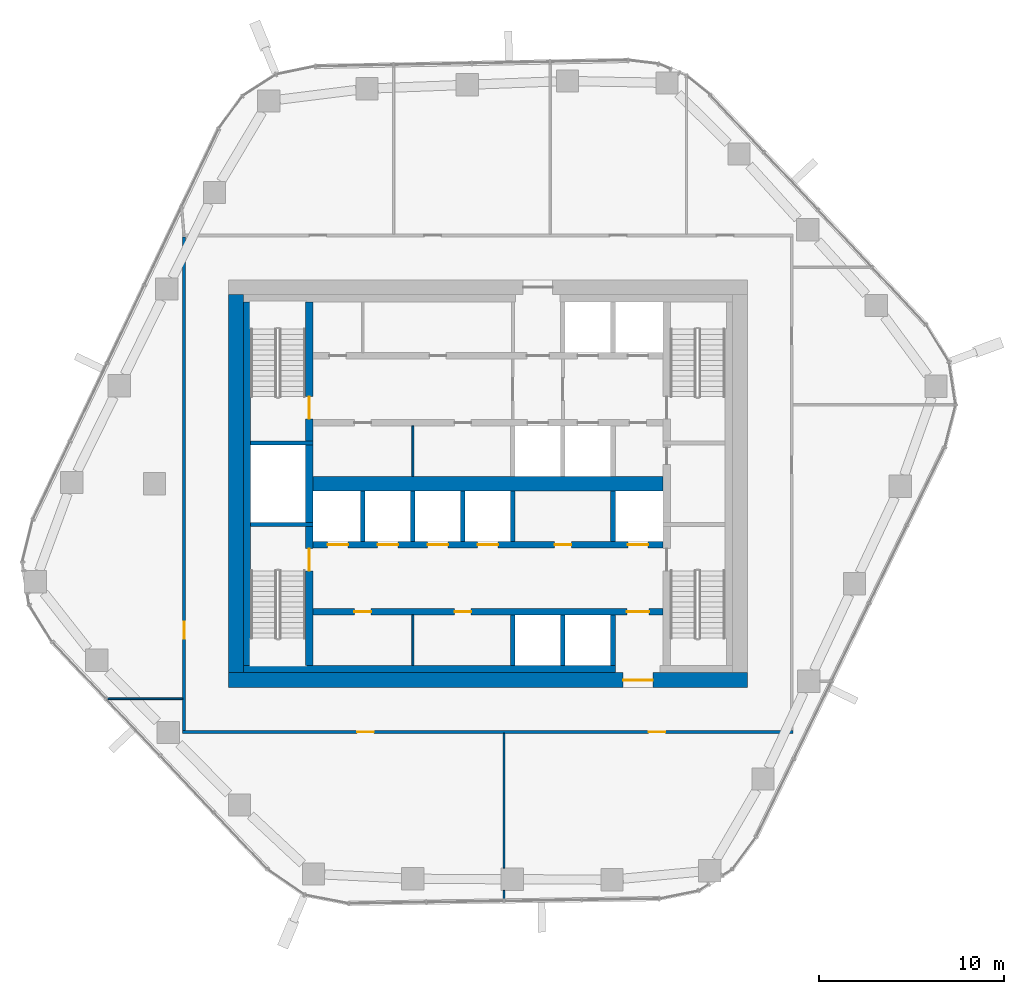
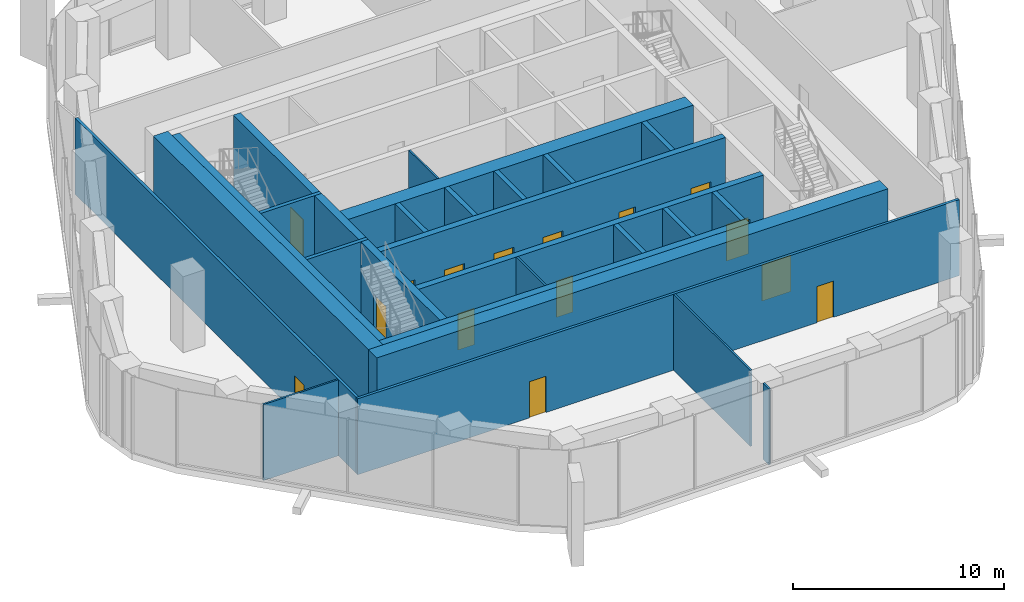
# One storey, part 11 of 16: 27 walls, 15 doors, 15 openings.
"""IFC4 building model written with IfcOpenShell, lengths in metres."""

from ifc_helpers import new_model, si_unit, direction, frame, frame_2d, origin, place, context, subcontext, project, spatial, rectangle, extrude, material, layer, layer_set, type_object, element, fill, save


model = new_model("IFC4")

# Units and contexts
model_context = context("Model", 3, precision=1e-05, world=origin(), true_north=direction((0.0, 1.0)))
body_context = subcontext(model_context, "Body", "Model", "MODEL_VIEW")
ifc_project = project(units=[si_unit("LENGTHUNIT", "METRE"), si_unit("AREAUNIT", "SQUARE_METRE"), si_unit("VOLUMEUNIT", "CUBIC_METRE"), si_unit("PLANEANGLEUNIT", "RADIAN"), si_unit("MASSUNIT", "GRAM", prefix="KILO")], contexts=[model_context])

# Site, building, storey
site_placement = place(None, origin())
site = spatial("IfcSite", under=ifc_project, at=site_placement, CompositionType="ELEMENT")
building_placement = place(site_placement, origin())
building = spatial("IfcBuilding", under=site, at=building_placement, Name="Dongbaek Canopy Tower", CompositionType="ELEMENT")
storey_placement = place(building_placement, frame((0.0, 0.0, 215.60009765625)))
storey = spatial("IfcBuildingStorey", under=building, at=storey_placement, Name="L45", CompositionType="ELEMENT", Elevation=215.60009765625)

# Wall
ifc_material_1 = material(Name="Concrete C60/75", Category="concrete")
ifc_layer_1 = layer(ifc_material_1, 0.800048828125)
ifc_layer_set_1 = layer_set([ifc_layer_1], Name="Core central wall 800 Concrete C60/75")
wall_type_1 = type_object("IfcWallType", Name="Core central wall 800 Concrete C60/75", PredefinedType="SHEAR", material=ifc_layer_set_1)
wall_1_placement = place(storey_placement, frame((-9.449951171875, 0.0, 0.0), z_axis=(0.0, 0.0, 1.0), x_axis=(1.0, 0.0, 0.0)))
element("IfcWall", 1, at=wall_1_placement, inside=storey, type_object=wall_type_1, Name="Core wall", PredefinedType="SHEAR", context=body_context, shape_type="SweptSolid", body=[
    extrude(rectangle(XDim=18.89990234375, YDim=0.800048828125, at=frame_2d((9.449951171875, 0.0))), origin(), (0.0, 0.0, 1.0), 4.39990234375),
])

# Wall, openings, doors
ifc_material_2 = material(Name="Concrete C60/75", Category="concrete")
ifc_layer_2 = layer(ifc_material_2, 0.35009765625)
ifc_layer_set_2 = layer_set([ifc_layer_2], Name="Core lobby wall 350 Concrete C60/75")
wall_type_2 = type_object("IfcWallType", Name="Core lobby wall 350 Concrete C60/75", PredefinedType="SHEAR", material=ifc_layer_set_2)
wall_2_placement = place(storey_placement, frame((-9.449951171875, -3.300048828125, 0.0), z_axis=(0.0, 0.0, 1.0), x_axis=(1.0, 0.0, 0.0)))
wall_2 = element("IfcWall", 2, at=wall_2_placement, inside=storey, type_object=wall_type_2, Name="Core wall", PredefinedType="SHEAR", context=body_context, shape_type="SweptSolid", body=[
    extrude(rectangle(XDim=18.89990234375, YDim=0.35009765625, at=frame_2d((9.449951171875, 0.0))), origin(), (0.0, 0.0, 1.0), 4.39990234375),
])
opening_1_placement = place(wall_2_placement, frame((0.800048828125, 0.0, 0.0)))
opening_1 = element("IfcOpeningElement", 3, at=opening_1_placement, cuts=wall_2, Name="Opening L45-D018", PredefinedType="OPENING", context=body_context, shape_type="SweptSolid", body=[
    extrude(rectangle(XDim=1.10009765625, YDim=2.10009765625, at=frame_2d((0.550048828125, 1.050048828125))), frame((0.0, 0.18505859375, 0.0), z_axis=(0.0, -1.0, 0.0), x_axis=(1.0, 0.0, 0.0)), (0.0, 0.0, 1.0), 0.3701171875),
])
opening_2_placement = place(wall_2_placement, frame((3.5, 0.0, 0.0)))
opening_2 = element("IfcOpeningElement", 4, at=opening_2_placement, cuts=wall_2, Name="Opening L45-D019", PredefinedType="OPENING", context=body_context, shape_type="SweptSolid", body=[
    extrude(rectangle(XDim=1.10009765625, YDim=2.10009765625, at=frame_2d((0.550048828125, 1.050048828125))), frame((0.0, 0.18505859375, 0.0), z_axis=(0.0, -1.0, 0.0), x_axis=(1.0, 0.0, 0.0)), (0.0, 0.0, 1.0), 0.3701171875),
])
opening_3_placement = place(wall_2_placement, frame((6.199951171875, 0.0, 0.0)))
opening_3 = element("IfcOpeningElement", 5, at=opening_3_placement, cuts=wall_2, Name="Opening L45-D020", PredefinedType="OPENING", context=body_context, shape_type="SweptSolid", body=[
    extrude(rectangle(XDim=1.10009765625, YDim=2.10009765625, at=frame_2d((0.550048828125, 1.050048828125))), frame((0.0, 0.18505859375, 0.0), z_axis=(0.0, -1.0, 0.0), x_axis=(1.0, 0.0, 0.0)), (0.0, 0.0, 1.0), 0.3701171875),
])
opening_4_placement = place(wall_2_placement, frame((8.89990234375, 0.0, 0.0)))
opening_4 = element("IfcOpeningElement", 6, at=opening_4_placement, cuts=wall_2, Name="Opening L45-D021", PredefinedType="OPENING", context=body_context, shape_type="SweptSolid", body=[
    extrude(rectangle(XDim=1.10009765625, YDim=2.10009765625, at=frame_2d((0.550048828125, 1.050048828125))), frame((0.0, 0.18505859375, 0.0), z_axis=(0.0, -1.0, 0.0), x_axis=(1.0, 0.0, 0.0)), (0.0, 0.0, 1.0), 0.3701171875),
])
opening_5_placement = place(wall_2_placement, frame((17.0, 0.0, 0.0)))
opening_5 = element("IfcOpeningElement", 7, at=opening_5_placement, cuts=wall_2, Name="Opening L45-D022", PredefinedType="OPENING", context=body_context, shape_type="SweptSolid", body=[
    extrude(rectangle(XDim=1.10009765625, YDim=2.10009765625, at=frame_2d((0.550048828125, 1.050048828125))), frame((0.0, 0.18505859375, 0.0), z_axis=(0.0, -1.0, 0.0), x_axis=(1.0, 0.0, 0.0)), (0.0, 0.0, 1.0), 0.3701171875),
])
opening_6_placement = place(wall_2_placement, frame((13.050048828125, 0.0, 0.0)))
opening_6 = element("IfcOpeningElement", 8, at=opening_6_placement, cuts=wall_2, Name="Opening L45-D029", PredefinedType="OPENING", context=body_context, shape_type="SweptSolid", body=[
    extrude(rectangle(XDim=0.89990234375, YDim=2.10009765625, at=frame_2d((0.449951171875, 1.050048828125))), frame((0.0, 0.18505859375, 0.0), z_axis=(0.0, -1.0, 0.0), x_axis=(1.0, 0.0, 0.0)), (0.0, 0.0, 1.0), 0.3701171875),
])
ifc_material_3 = material(Name="Steel", Category="steel")
door_type_1 = type_object("IfcDoorType", Name="Core room door 900 x 2100", OperationType="SINGLE_SWING_LEFT", PredefinedType="DOOR", material=ifc_material_3)
door_1_placement = place(opening_6_placement, origin())
door_1 = element("IfcDoor", 9, at=door_1_placement, inside=storey, type_object=door_type_1, Name="Door L45-D029", OperationType="SINGLE_SWING_RIGHT", OverallHeight=2.10009765625, OverallWidth=0.89990234375, PredefinedType="DOOR", context=body_context, shape_type="SweptSolid", body=[
    extrude(rectangle(XDim=0.89990234375, YDim=2.10009765625, at=frame_2d((0.449951171875, 1.050048828125))), frame((0.0, 0.02490234375, 0.0), z_axis=(0.0, -1.0, 0.0), x_axis=(1.0, 0.0, 0.0)), (0.0, 0.0, 1.0), 0.050048828125),
])
fill(opening_6, door_1)
ifc_material_4 = material(Name="Stainless steel", Category="steel")
door_type_2 = type_object("IfcDoorType", Name="Lift landing door 1100 x 2100", OperationType="DOUBLE_DOOR_SLIDING", PredefinedType="DOOR", material=ifc_material_4)
door_2_placement = place(opening_1_placement, origin())
door_2 = element("IfcDoor", 10, at=door_2_placement, inside=storey, type_object=door_type_2, Name="Landing door MR1", OperationType="DOUBLE_DOOR_SLIDING", OverallHeight=2.10009765625, OverallWidth=1.10009765625, PredefinedType="DOOR", context=body_context, shape_type="SweptSolid", body=[
    extrude(rectangle(XDim=1.10009765625, YDim=2.10009765625, at=frame_2d((0.550048828125, 1.050048828125))), frame((0.0, 0.02490234375, 0.0), z_axis=(0.0, -1.0, 0.0), x_axis=(1.0, 0.0, 0.0)), (0.0, 0.0, 1.0), 0.050048828125),
])
fill(opening_1, door_2)
door_3_placement = place(opening_2_placement, origin())
door_3 = element("IfcDoor", 11, at=door_3_placement, inside=storey, type_object=door_type_2, Name="Landing door MR2", OperationType="DOUBLE_DOOR_SLIDING", OverallHeight=2.10009765625, OverallWidth=1.10009765625, PredefinedType="DOOR", context=body_context, shape_type="SweptSolid", body=[
    extrude(rectangle(XDim=1.10009765625, YDim=2.10009765625, at=frame_2d((0.550048828125, 1.050048828125))), frame((0.0, 0.02490234375, 0.0), z_axis=(0.0, -1.0, 0.0), x_axis=(1.0, 0.0, 0.0)), (0.0, 0.0, 1.0), 0.050048828125),
])
fill(opening_2, door_3)
door_4_placement = place(opening_3_placement, origin())
door_4 = element("IfcDoor", 12, at=door_4_placement, inside=storey, type_object=door_type_2, Name="Landing door MR3", OperationType="DOUBLE_DOOR_SLIDING", OverallHeight=2.10009765625, OverallWidth=1.10009765625, PredefinedType="DOOR", context=body_context, shape_type="SweptSolid", body=[
    extrude(rectangle(XDim=1.10009765625, YDim=2.10009765625, at=frame_2d((0.550048828125, 1.050048828125))), frame((0.0, 0.02490234375, 0.0), z_axis=(0.0, -1.0, 0.0), x_axis=(1.0, 0.0, 0.0)), (0.0, 0.0, 1.0), 0.050048828125),
])
fill(opening_3, door_4)
door_5_placement = place(opening_4_placement, origin())
door_5 = element("IfcDoor", 13, at=door_5_placement, inside=storey, type_object=door_type_2, Name="Landing door MR4", OperationType="DOUBLE_DOOR_SLIDING", OverallHeight=2.10009765625, OverallWidth=1.10009765625, PredefinedType="DOOR", context=body_context, shape_type="SweptSolid", body=[
    extrude(rectangle(XDim=1.10009765625, YDim=2.10009765625, at=frame_2d((0.550048828125, 1.050048828125))), frame((0.0, 0.02490234375, 0.0), z_axis=(0.0, -1.0, 0.0), x_axis=(1.0, 0.0, 0.0)), (0.0, 0.0, 1.0), 0.050048828125),
])
fill(opening_4, door_5)
door_6_placement = place(opening_5_placement, origin())
door_6 = element("IfcDoor", 14, at=door_6_placement, inside=storey, type_object=door_type_2, Name="Landing door SV2", OperationType="DOUBLE_DOOR_SLIDING", OverallHeight=2.10009765625, OverallWidth=1.10009765625, PredefinedType="DOOR", context=body_context, shape_type="SweptSolid", body=[
    extrude(rectangle(XDim=1.10009765625, YDim=2.10009765625, at=frame_2d((0.550048828125, 1.050048828125))), frame((0.0, 0.02490234375, 0.0), z_axis=(0.0, -1.0, 0.0), x_axis=(1.0, 0.0, 0.0)), (0.0, 0.0, 1.0), 0.050048828125),
])
fill(opening_5, door_6)

wall_3_placement = place(storey_placement, frame((9.449951171875, -6.89990234375, 0.0), z_axis=(0.0, 0.0, 1.0), x_axis=(-1.0, 0.0, 0.0)))
wall_3 = element("IfcWall", 15, at=wall_3_placement, inside=storey, type_object=wall_type_2, Name="Core wall", PredefinedType="SHEAR", context=body_context, shape_type="SweptSolid", body=[
    extrude(rectangle(XDim=18.89990234375, YDim=0.35009765625, at=frame_2d((9.449951171875, 0.0))), origin(), (0.0, 0.0, 1.0), 4.39990234375),
])
opening_7_placement = place(wall_3_placement, frame((0.75, 0.0, 0.0)))
opening_7 = element("IfcOpeningElement", 16, at=opening_7_placement, cuts=wall_3, Name="Opening L45-D024", PredefinedType="OPENING", context=body_context, shape_type="SweptSolid", body=[
    extrude(rectangle(XDim=1.199951171875, YDim=2.10009765625, at=frame_2d((0.60009765625, 1.050048828125))), frame((0.0, 0.18505859375, 0.0), z_axis=(0.0, -1.0, 0.0), x_axis=(1.0, 0.0, 0.0)), (0.0, 0.0, 1.0), 0.3701171875),
])
opening_8_placement = place(wall_3_placement, frame((15.75, 0.0, 0.0)))
opening_8 = element("IfcOpeningElement", 17, at=opening_8_placement, cuts=wall_3, Name="Opening L45-D030", PredefinedType="OPENING", context=body_context, shape_type="SweptSolid", body=[
    extrude(rectangle(XDim=0.89990234375, YDim=2.10009765625, at=frame_2d((0.449951171875, 1.050048828125))), frame((0.0, 0.18505859375, 0.0), z_axis=(0.0, -1.0, 0.0), x_axis=(1.0, 0.0, 0.0)), (0.0, 0.0, 1.0), 0.3701171875),
])
opening_9_placement = place(wall_3_placement, frame((10.35009765625, 0.0, 0.0)))
opening_9 = element("IfcOpeningElement", 18, at=opening_9_placement, cuts=wall_3, Name="Opening L45-D031", PredefinedType="OPENING", context=body_context, shape_type="SweptSolid", body=[
    extrude(rectangle(XDim=0.89990234375, YDim=2.10009765625, at=frame_2d((0.449951171875, 1.050048828125))), frame((0.0, 0.18505859375, 0.0), z_axis=(0.0, -1.0, 0.0), x_axis=(1.0, 0.0, 0.0)), (0.0, 0.0, 1.0), 0.3701171875),
])
door_7_placement = place(opening_8_placement, origin())
door_7 = element("IfcDoor", 19, at=door_7_placement, inside=storey, type_object=door_type_1, Name="Door L45-D030", OperationType="SINGLE_SWING_LEFT", OverallHeight=2.10009765625, OverallWidth=0.89990234375, PredefinedType="DOOR", context=body_context, shape_type="SweptSolid", body=[
    extrude(rectangle(XDim=0.89990234375, YDim=2.10009765625, at=frame_2d((0.449951171875, 1.050048828125))), frame((0.0, 0.02490234375, 0.0), z_axis=(0.0, -1.0, 0.0), x_axis=(1.0, 0.0, 0.0)), (0.0, 0.0, 1.0), 0.050048828125),
])
fill(opening_8, door_7)
door_8_placement = place(opening_9_placement, origin())
door_8 = element("IfcDoor", 20, at=door_8_placement, inside=storey, type_object=door_type_1, Name="Door L45-D031", OperationType="SINGLE_SWING_RIGHT", OverallHeight=2.10009765625, OverallWidth=0.89990234375, PredefinedType="DOOR", context=body_context, shape_type="SweptSolid", body=[
    extrude(rectangle(XDim=0.89990234375, YDim=2.10009765625, at=frame_2d((0.449951171875, 1.050048828125))), frame((0.0, 0.02490234375, 0.0), z_axis=(0.0, -1.0, 0.0), x_axis=(1.0, 0.0, 0.0)), (0.0, 0.0, 1.0), 0.050048828125),
])
fill(opening_9, door_8)
ifc_material_5 = material(Name="Steel", Category="steel")
door_type_3 = type_object("IfcDoorType", Name="Fire lobby door 1200 x 2100", OperationType="SINGLE_SWING_LEFT", PredefinedType="DOOR", material=ifc_material_5)
door_9_placement = place(opening_7_placement, origin())
door_9 = element("IfcDoor", 21, at=door_9_placement, inside=storey, type_object=door_type_3, Name="Door L45-D024", OperationType="SINGLE_SWING_LEFT", OverallHeight=2.10009765625, OverallWidth=1.199951171875, PredefinedType="DOOR", context=body_context, shape_type="SweptSolid", body=[
    extrude(rectangle(XDim=1.199951171875, YDim=2.10009765625, at=frame_2d((0.60009765625, 1.050048828125))), frame((0.0, 0.02490234375, 0.0), z_axis=(0.0, -1.0, 0.0), x_axis=(1.0, 0.0, 0.0)), (0.0, 0.0, 1.0), 0.050048828125),
])
fill(opening_7, door_9)

# Wall, opening, door
ifc_material_6 = material(Name="Concrete C70/85", Category="concrete")
ifc_layer_3 = layer(ifc_material_6, 0.800048828125)
ifc_layer_set_3 = layer_set([ifc_layer_3], Name="Core outer wall 800 Concrete C70/85")
wall_type_3 = type_object("IfcWallType", Name="Core outer wall 800 Concrete C70/85", PredefinedType="SHEAR", material=ifc_layer_set_3)
wall_4_placement = place(storey_placement, frame((14.0, -10.60009765625, 0.0), z_axis=(0.0, 0.0, 1.0), x_axis=(-1.0, 0.0, 0.0)))
wall_4 = element("IfcWall", 22, at=wall_4_placement, inside=storey, type_object=wall_type_3, Name="Core wall", PredefinedType="SHEAR", context=body_context, shape_type="SweptSolid", body=[
    extrude(rectangle(XDim=28.0, YDim=0.800048828125, at=frame_2d((14.0, 0.0))), origin(), (0.0, 0.0, 1.0), 4.39990234375),
])
opening_10_placement = place(wall_4_placement, frame((5.10009765625, 0.0, 0.0)))
opening_10 = element("IfcOpeningElement", 23, at=opening_10_placement, cuts=wall_4, Name="Opening L45-D023", PredefinedType="OPENING", context=body_context, shape_type="SweptSolid", body=[
    extrude(rectangle(XDim=1.60009765625, YDim=2.10009765625, at=frame_2d((0.800048828125, 1.050048828125))), frame((0.0, 0.409912109375, 0.0), z_axis=(0.0, -1.0, 0.0), x_axis=(1.0, 0.0, 0.0)), (0.0, 0.0, 1.0), 0.820068359375),
])
ifc_material_7 = material(Name="Steel", Category="steel")
door_type_4 = type_object("IfcDoorType", Name="Core exit door 1600 x 2100", OperationType="DOUBLE_DOOR_SINGLE_SWING", PredefinedType="DOOR", material=ifc_material_7)
door_10_placement = place(opening_10_placement, origin())
door_10 = element("IfcDoor", 24, at=door_10_placement, inside=storey, type_object=door_type_4, Name="Core exit door", OperationType="DOUBLE_DOOR_SINGLE_SWING", OverallHeight=2.10009765625, OverallWidth=1.60009765625, PredefinedType="DOOR", context=body_context, shape_type="SweptSolid", body=[
    extrude(rectangle(XDim=1.60009765625, YDim=2.10009765625, at=frame_2d((0.800048828125, 1.050048828125))), frame((0.0, 0.02490234375, 0.0), z_axis=(0.0, -1.0, 0.0), x_axis=(1.0, 0.0, 0.0)), (0.0, 0.0, 1.0), 0.050048828125),
])
fill(opening_10, door_10)

# Walls
wall_5_placement = place(storey_placement, frame((-13.60009765625, -10.199951171875, 0.0), z_axis=(0.0, 0.0, 1.0), x_axis=(0.0, 1.0, 0.0)))
element("IfcWall", 25, at=wall_5_placement, inside=storey, type_object=wall_type_3, Name="Core wall", PredefinedType="SHEAR", context=body_context, shape_type="SweptSolid", body=[
    extrude(rectangle(XDim=20.39990234375, YDim=0.800048828125, at=frame_2d((10.199951171875, 0.0))), origin(), (0.0, 0.0, 1.0), 4.39990234375),
])
ifc_material_8 = material(Name="Concrete C60/75", Category="concrete")
ifc_layer_4 = layer(ifc_material_8, 0.39990234375)
ifc_layer_set_4 = layer_set([ifc_layer_4], Name="Core wall lining 400 Concrete C60/75")
wall_type_4 = type_object("IfcWallType", Name="Core wall lining 400 Concrete C60/75", PredefinedType="SHEAR", material=ifc_layer_set_4)
wall_6_placement = place(storey_placement, frame((6.89990234375, -10.0, 0.0), z_axis=(0.0, 0.0, 1.0), x_axis=(-1.0, 0.0, 0.0)))
element("IfcWall", 26, at=wall_6_placement, inside=storey, type_object=wall_type_4, Name="Core wall lining", PredefinedType="SHEAR", context=body_context, shape_type="SweptSolid", body=[
    extrude(rectangle(XDim=20.099853515625, YDim=0.39990234375, at=frame_2d((10.0498046875, 0.0))), origin(), (0.0, 0.0, 1.0), 4.39990234375),
])
wall_7_placement = place(storey_placement, frame((-13.0, -9.800048828125, 0.0), z_axis=(0.0, 0.0, 1.0), x_axis=(0.0, 1.0, 0.0)))
element("IfcWall", 27, at=wall_7_placement, inside=storey, type_object=wall_type_4, Name="Core wall lining", PredefinedType="SHEAR", context=body_context, shape_type="SweptSolid", body=[
    extrude(rectangle(XDim=19.60009765625, YDim=0.39990234375, at=frame_2d((9.800048828125, 0.0))), origin(), (0.0, 0.0, 1.0), 4.39990234375),
])

# Wall, openings, doors
ifc_material_9 = material(Name="Gypsum board partition, steel stud, 2 x 15 mm fire board", Category="steel")
ifc_layer_5 = layer(ifc_material_9, 0.14990234375)
ifc_layer_set_5 = layer_set([ifc_layer_5], Name="Fire-rated partition 150 gypsum board")
wall_type_5 = type_object("IfcWallType", Name="Fire-rated partition 150 gypsum board", PredefinedType="PARTITIONING", material=ifc_layer_set_5)
wall_8_placement = place(storey_placement, frame((16.47509765625, -13.39990234375, 0.0), z_axis=(0.0, 0.0, 1.0), x_axis=(-1.0, 0.0, 0.0)))
wall_8 = element("IfcWall", 28, at=wall_8_placement, inside=storey, type_object=wall_type_5, Name="Corridor partition", PredefinedType="PARTITIONING", context=body_context, shape_type="SweptSolid", body=[
    extrude(rectangle(XDim=32.9501953125, YDim=0.14990234375, at=frame_2d((16.47509765625, 0.0))), origin(), (0.0, 0.0, 1.0), 4.39990234375),
])
opening_11_placement = place(wall_8_placement, frame((22.633544921875, 0.0, 0.0)))
opening_11 = element("IfcOpeningElement", 29, at=opening_11_placement, cuts=wall_8, Name="Opening L45-D002", PredefinedType="OPENING", context=body_context, shape_type="SweptSolid", body=[
    extrude(rectangle(XDim=0.89990234375, YDim=2.10009765625, at=frame_2d((0.449951171875, 1.050048828125))), frame((0.0, 0.0849609375, 0.0), z_axis=(0.0, -1.0, 0.0), x_axis=(1.0, 0.0, 0.0)), (0.0, 0.0, 1.0), 0.169921875),
])
opening_12_placement = place(wall_8_placement, frame((6.89453125, 0.0, 0.0)))
opening_12 = element("IfcOpeningElement", 30, at=opening_12_placement, cuts=wall_8, Name="Opening L45-D003", PredefinedType="OPENING", context=body_context, shape_type="SweptSolid", body=[
    extrude(rectangle(XDim=0.89990234375, YDim=2.10009765625, at=frame_2d((0.449951171875, 1.050048828125))), frame((0.0, 0.0849609375, 0.0), z_axis=(0.0, -1.0, 0.0), x_axis=(1.0, 0.0, 0.0)), (0.0, 0.0, 1.0), 0.169921875),
])
ifc_material_10 = material(Name="Timber veneered door leaf", Category="wood")
door_type_5 = type_object("IfcDoorType", Name="Room door 900 x 2100", OperationType="SINGLE_SWING_LEFT", PredefinedType="DOOR", material=ifc_material_10)
door_11_placement = place(opening_11_placement, origin())
door_11 = element("IfcDoor", 31, at=door_11_placement, inside=storey, type_object=door_type_5, Name="Door L45-D002", OperationType="SINGLE_SWING_LEFT", OverallHeight=2.10009765625, OverallWidth=0.89990234375, PredefinedType="DOOR", context=body_context, shape_type="SweptSolid", body=[
    extrude(rectangle(XDim=0.89990234375, YDim=2.10009765625, at=frame_2d((0.449951171875, 1.050048828125))), frame((0.0, 0.02490234375, 0.0), z_axis=(0.0, -1.0, 0.0), x_axis=(1.0, 0.0, 0.0)), (0.0, 0.0, 1.0), 0.050048828125),
])
fill(opening_11, door_11)
door_12_placement = place(opening_12_placement, origin())
door_12 = element("IfcDoor", 32, at=door_12_placement, inside=storey, type_object=door_type_5, Name="Door L45-D003", OperationType="SINGLE_SWING_RIGHT", OverallHeight=2.10009765625, OverallWidth=0.89990234375, PredefinedType="DOOR", context=body_context, shape_type="SweptSolid", body=[
    extrude(rectangle(XDim=0.89990234375, YDim=2.10009765625, at=frame_2d((0.449951171875, 1.050048828125))), frame((0.0, 0.02490234375, 0.0), z_axis=(0.0, -1.0, 0.0), x_axis=(1.0, 0.0, 0.0)), (0.0, 0.0, 1.0), 0.050048828125),
])
fill(opening_12, door_12)

# Wall, opening, door
wall_9_placement = place(storey_placement, frame((-16.39990234375, -13.324951171875, 0.0), z_axis=(0.0, 0.0, 1.0), x_axis=(0.0, 1.0, 0.0)))
wall_9 = element("IfcWall", 33, at=wall_9_placement, inside=storey, type_object=wall_type_5, Name="Corridor partition", PredefinedType="PARTITIONING", context=body_context, shape_type="SweptSolid", body=[
    extrude(rectangle(XDim=26.64990234375, YDim=0.14990234375, at=frame_2d((13.324951171875, 0.0))), origin(), (0.0, 0.0, 1.0), 4.39990234375),
])
opening_13_placement = place(wall_9_placement, frame((4.9619140625, 0.0, 0.0)))
opening_13 = element("IfcOpeningElement", 34, at=opening_13_placement, cuts=wall_9, Name="Opening L45-D001", PredefinedType="OPENING", context=body_context, shape_type="SweptSolid", body=[
    extrude(rectangle(XDim=0.89990234375, YDim=2.10009765625, at=frame_2d((0.449951171875, 1.050048828125))), frame((0.0, 0.0849609375, 0.0), z_axis=(0.0, -1.0, 0.0), x_axis=(1.0, 0.0, 0.0)), (0.0, 0.0, 1.0), 0.169921875),
])
door_13_placement = place(opening_13_placement, origin())
door_13 = element("IfcDoor", 35, at=door_13_placement, inside=storey, type_object=door_type_5, Name="Door L45-D001", OperationType="SINGLE_SWING_RIGHT", OverallHeight=2.10009765625, OverallWidth=0.89990234375, PredefinedType="DOOR", context=body_context, shape_type="SweptSolid", body=[
    extrude(rectangle(XDim=0.89990234375, YDim=2.10009765625, at=frame_2d((0.449951171875, 1.050048828125))), frame((0.0, 0.02490234375, 0.0), z_axis=(0.0, -1.0, 0.0), x_axis=(1.0, 0.0, 0.0)), (0.0, 0.0, 1.0), 0.050048828125),
])
fill(opening_13, door_13)

# Walls
ifc_material_11 = material(Name="Concrete C40/50", Category="concrete")
ifc_layer_6 = layer(ifc_material_11, 0.25)
ifc_layer_set_6 = layer_set([ifc_layer_6], Name="Lift shaft wall 250 Concrete C40/50")
wall_type_6 = type_object("IfcWallType", Name="Lift shaft wall 250 Concrete C40/50", PredefinedType="SOLIDWALL", material=ifc_layer_set_6)
for number, where, z_axis, x_axis, name in (
    (36, (6.75, -9.800048828125, 0.0), (0.0, 0.0, 1.0), (0.0, 1.0, 0.0), "Lift shaft wall"),
    (37, (6.75, -3.125, 0.0), (0.0, 0.0, 1.0), (0.0, 1.0, 0.0), "Lift shaft wall"),
    (38, (4.050048828125, -9.800048828125, 0.0), (0.0, 0.0, 1.0), (0.0, 1.0, 0.0), "Lift shaft wall"),
    (39, (1.35009765625, -9.800048828125, 0.0), (0.0, 0.0, 1.0), (0.0, 1.0, 0.0), "Lift shaft wall"),
    (40, (1.35009765625, -3.125, 0.0), (0.0, 0.0, 1.0), (0.0, 1.0, 0.0), "Lift shaft wall"),
    (41, (-1.35009765625, -3.125, 0.0), (0.0, 0.0, 1.0), (0.0, 1.0, 0.0), "Lift shaft wall"),
    (42, (-4.050048828125, -3.125, 0.0), (0.0, 0.0, 1.0), (0.0, 1.0, 0.0), "Lift shaft wall"),
    (43, (-6.75, -3.125, 0.0), (0.0, 0.0, 1.0), (0.0, 1.0, 0.0), "Lift shaft wall"),
):
    element("IfcWall", number, at=place(storey_placement, frame(where, z_axis=z_axis, x_axis=x_axis)), inside=storey, type_object=wall_type_6, Name=name, PredefinedType="SOLIDWALL", context=body_context, shape_type="SweptSolid", body=[
        extrude(rectangle(XDim=2.72509765625, YDim=0.25, at=frame_2d((1.362548828125, 0.0))), origin(), (0.0, 0.0, 1.0), 4.39990234375),
    ])
ifc_material_12 = material(Name="Gypsum board partition, steel stud, 2 x 12.5 mm board", Category="steel")
ifc_layer_7 = layer(ifc_material_12, 0.10009765625)
ifc_layer_set_7 = layer_set([ifc_layer_7], Name="Partition 100 gypsum board")
wall_type_7 = type_object("IfcWallType", Name="Partition 100 gypsum board", PredefinedType="PARTITIONING", material=ifc_layer_set_7)
wall_10_placement = place(storey_placement, frame((-20.583984375, -11.60400390625, 0.0), z_axis=(0.0, 0.0, 1.0), x_axis=(1.0, 0.0, 0.0)))
element("IfcWall", 44, at=wall_10_placement, inside=storey, type_object=wall_type_7, Name="Partition", PredefinedType="PARTITIONING", context=body_context, shape_type="SweptSolid", body=[
    extrude(rectangle(XDim=4.10888671875, YDim=0.10009765625, at=frame_2d((2.054443359375, 0.0))), origin(), (0.0, 0.0, 1.0), 4.39990234375),
])
wall_11_placement = place(storey_placement, frame((0.87109375, -22.508056640625, 0.0), z_axis=(0.0, 0.0, 1.0), x_axis=(0.0, 1.0, 0.0)))
element("IfcWall", 45, at=wall_11_placement, inside=storey, type_object=wall_type_7, Name="Partition", PredefinedType="PARTITIONING", context=body_context, shape_type="SweptSolid", body=[
    extrude(rectangle(XDim=0.56005859375, YDim=0.10009765625, at=frame_2d((0.280029296875, 0.0))), origin(), (0.0, 0.0, 1.0), 4.39990234375),
])
wall_12_placement = place(storey_placement, frame((0.87109375, -20.748046875, 0.0), z_axis=(0.0, 0.0, 1.0), x_axis=(0.0, 1.0, 0.0)))
element("IfcWall", 46, at=wall_12_placement, inside=storey, type_object=wall_type_7, Name="Partition", PredefinedType="PARTITIONING", context=body_context, shape_type="SweptSolid", body=[
    extrude(rectangle(XDim=7.27294921875, YDim=0.10009765625, at=frame_2d((3.636474609375, 0.0))), origin(), (0.0, 0.0, 1.0), 4.39990234375),
])
for number, where, z_axis, x_axis, name in (
    (47, (-4.050048828125, -9.800048828125, 0.0), (0.0, 0.0, 1.0), (0.0, 1.0, 0.0), "Core partition"),
    (48, (-4.050048828125, 0.39990234375, 0.0), (0.0, 0.0, 1.0), (0.0, 1.0, 0.0), "Core partition"),
):
    element("IfcWall", number, at=place(storey_placement, frame(where, z_axis=z_axis, x_axis=x_axis)), inside=storey, type_object=wall_type_7, Name=name, PredefinedType="PARTITIONING", context=body_context, shape_type="SweptSolid", body=[
        extrude(rectangle(XDim=2.72509765625, YDim=0.10009765625, at=frame_2d((1.362548828125, 0.0))), origin(), (0.0, 0.0, 1.0), 4.39990234375),
    ])
ifc_material_13 = material(Name="Concrete C60/75", Category="concrete")
ifc_layer_8 = layer(ifc_material_13, 0.199951171875)
ifc_layer_set_8 = layer_set([ifc_layer_8], Name="Riser wall 200 Concrete C60/75")
wall_type_8 = type_object("IfcWallType", Name="Riser wall 200 Concrete C60/75", PredefinedType="SHEAR", material=ifc_layer_set_8)
for number, where, z_axis, x_axis, name in (
    (49, (-9.449951171875, 2.199951171875, 0.0), (0.0, 0.0, 1.0), (-1.0, 0.0, 0.0), "Riser wall"),
    (50, (-9.449951171875, -2.199951171875, 0.0), (0.0, 0.0, 1.0), (-1.0, 0.0, 0.0), "Riser wall"),
):
    element("IfcWall", number, at=place(storey_placement, frame(where, z_axis=z_axis, x_axis=x_axis)), inside=storey, type_object=wall_type_8, Name=name, PredefinedType="SHEAR", context=body_context, shape_type="SweptSolid", body=[
        extrude(rectangle(XDim=3.35009765625, YDim=0.199951171875, at=frame_2d((1.675048828125, 0.0))), origin(), (0.0, 0.0, 1.0), 4.39990234375),
    ])

# Wall, opening, door
ifc_material_14 = material(Name="Concrete C60/75", Category="concrete")
ifc_layer_9 = layer(ifc_material_14, 0.39990234375)
ifc_layer_set_9 = layer_set([ifc_layer_9], Name="Stair wall 400 Concrete C60/75")
wall_type_9 = type_object("IfcWallType", Name="Stair wall 400 Concrete C60/75", PredefinedType="SHEAR", material=ifc_layer_set_9)
wall_13_placement = place(storey_placement, frame((-9.64990234375, -9.800048828125, 0.0), z_axis=(0.0, 0.0, 1.0), x_axis=(0.0, 1.0, 0.0)))
wall_13 = element("IfcWall", 51, at=wall_13_placement, inside=storey, type_object=wall_type_9, Name="Stair wall", PredefinedType="SHEAR", context=body_context, shape_type="SweptSolid", body=[
    extrude(rectangle(XDim=7.5, YDim=0.39990234375, at=frame_2d((3.75, 0.0))), origin(), (0.0, 0.0, 1.0), 4.39990234375),
])
opening_14_placement = place(wall_13_placement, frame((5.10009765625, 0.0, 0.0)))
opening_14 = element("IfcOpeningElement", 52, at=opening_14_placement, cuts=wall_13, Name="Opening L45-D035", PredefinedType="OPENING", context=body_context, shape_type="SweptSolid", body=[
    extrude(rectangle(XDim=1.199951171875, YDim=2.10009765625, at=frame_2d((0.60009765625, 1.050048828125))), frame((0.0, 0.2099609375, 0.0), z_axis=(0.0, -1.0, 0.0), x_axis=(1.0, 0.0, 0.0)), (0.0, 0.0, 1.0), 0.419921875),
])
ifc_material_15 = material(Name="Steel", Category="steel")
door_type_6 = type_object("IfcDoorType", Name="Stair door 1200 x 2100", OperationType="SINGLE_SWING_LEFT", PredefinedType="DOOR", material=ifc_material_15)
door_14_placement = place(opening_14_placement, origin())
door_14 = element("IfcDoor", 53, at=door_14_placement, inside=storey, type_object=door_type_6, Name="Stair D door", OperationType="SINGLE_SWING_LEFT", OverallHeight=2.10009765625, OverallWidth=1.199951171875, PredefinedType="DOOR", context=body_context, shape_type="SweptSolid", body=[
    extrude(rectangle(XDim=1.199951171875, YDim=2.10009765625, at=frame_2d((0.60009765625, 1.050048828125))), frame((0.0, 0.02490234375, 0.0), z_axis=(0.0, -1.0, 0.0), x_axis=(1.0, 0.0, 0.0)), (0.0, 0.0, 1.0), 0.050048828125),
])
fill(opening_14, door_14)

# Wall
wall_14_placement = place(storey_placement, frame((-9.64990234375, -2.10009765625, 0.0), z_axis=(0.0, 0.0, 1.0), x_axis=(0.0, 1.0, 0.0)))
element("IfcWall", 54, at=wall_14_placement, inside=storey, type_object=wall_type_9, Name="Stair wall", PredefinedType="SHEAR", context=body_context, shape_type="SweptSolid", body=[
    extrude(rectangle(XDim=4.2001953125, YDim=0.39990234375, at=frame_2d((2.10009765625, 0.0))), origin(), (0.0, 0.0, 1.0), 4.39990234375),
])

# Wall, opening, door
wall_15_placement = place(storey_placement, frame((-9.64990234375, 2.300048828125, 0.0), z_axis=(0.0, 0.0, 1.0), x_axis=(0.0, 1.0, 0.0)))
wall_15 = element("IfcWall", 55, at=wall_15_placement, inside=storey, type_object=wall_type_9, Name="Stair wall", PredefinedType="SHEAR", context=body_context, shape_type="SweptSolid", body=[
    extrude(rectangle(XDim=7.5, YDim=0.39990234375, at=frame_2d((3.75, 0.0))), origin(), (0.0, 0.0, 1.0), 4.39990234375),
])
opening_15_placement = place(wall_15_placement, frame((1.199951171875, 0.0, 0.0)))
opening_15 = element("IfcOpeningElement", 56, at=opening_15_placement, cuts=wall_15, Name="Opening L45-D033", PredefinedType="OPENING", context=body_context, shape_type="SweptSolid", body=[
    extrude(rectangle(XDim=1.199951171875, YDim=2.10009765625, at=frame_2d((0.60009765625, 1.050048828125))), frame((0.0, 0.2099609375, 0.0), z_axis=(0.0, -1.0, 0.0), x_axis=(1.0, 0.0, 0.0)), (0.0, 0.0, 1.0), 0.419921875),
])
door_15_placement = place(opening_15_placement, origin())
door_15 = element("IfcDoor", 57, at=door_15_placement, inside=storey, type_object=door_type_6, Name="Stair C door", OperationType="SINGLE_SWING_RIGHT", OverallHeight=2.10009765625, OverallWidth=1.199951171875, PredefinedType="DOOR", context=body_context, shape_type="SweptSolid", body=[
    extrude(rectangle(XDim=1.199951171875, YDim=2.10009765625, at=frame_2d((0.60009765625, 1.050048828125))), frame((0.0, 0.02490234375, 0.0), z_axis=(0.0, -1.0, 0.0), x_axis=(1.0, 0.0, 0.0)), (0.0, 0.0, 1.0), 0.050048828125),
])
fill(opening_15, door_15)

save(model, "model.ifc")
